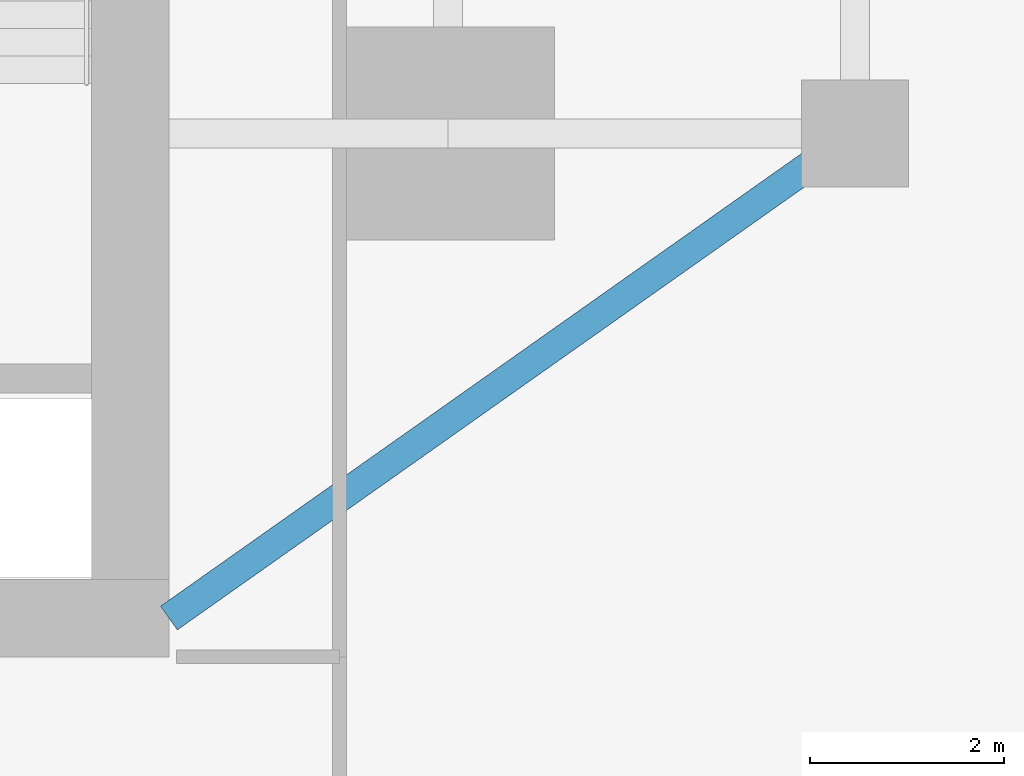
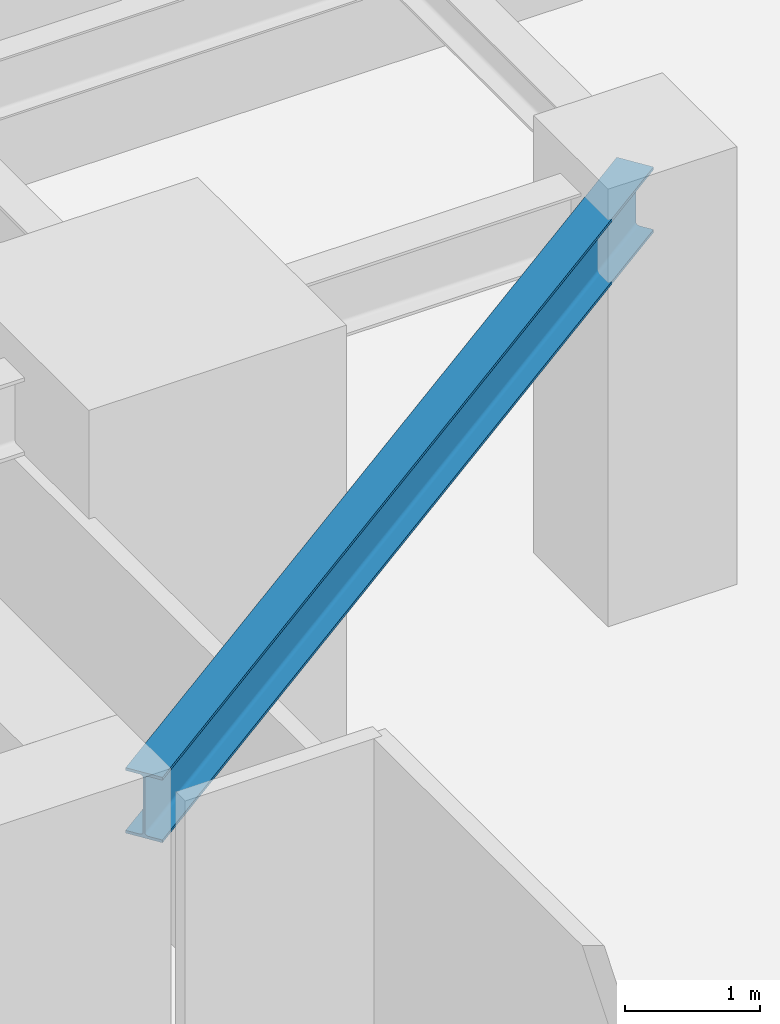
# One storey, part 11 of 29: 1 beam.
"""IFC4 building model written with IfcOpenShell, lengths in metres."""

from ifc_helpers import new_model, si_unit, direction, frame, origin, origin_2d, place, context, subcontext, project, spatial, i_section, extrude, source, transform, mapped, material, material_profile, profile_set, type_object, type_shapes, element, save


model = new_model("IFC4")

# Units and contexts
model_context = context("Model", 3, precision=1e-05, world=origin(), true_north=direction((0.0, 1.0)))
body_context = subcontext(model_context, "Body", "Model", "MODEL_VIEW")
ifc_project = project(units=[si_unit("LENGTHUNIT", "METRE"), si_unit("AREAUNIT", "SQUARE_METRE"), si_unit("VOLUMEUNIT", "CUBIC_METRE"), si_unit("PLANEANGLEUNIT", "RADIAN"), si_unit("MASSUNIT", "GRAM", prefix="KILO")], contexts=[model_context])

# Site, building, storey
site_placement = place(None, origin())
site = spatial("IfcSite", under=ifc_project, at=site_placement, CompositionType="ELEMENT")
building_placement = place(site_placement, origin())
building = spatial("IfcBuilding", under=site, at=building_placement, Name="Krantzveldt Concourse Tower", CompositionType="ELEMENT")
storey_placement = place(building_placement, frame((0.0, 0.0, 60.550048828125)))
storey = spatial("IfcBuildingStorey", under=building, at=storey_placement, Name="L14", CompositionType="ELEMENT", Elevation=60.550048828125)

# Beam
ifc_material = material(Name="Steel S355JR", Category="steel")
ifc_material_profile = material_profile(ifc_material, i_section(OverallWidth=0.300048828125, OverallDepth=0.590087890625, WebThickness=0.012939453125, FlangeThickness=0.02490234375, FilletRadius=0.027099609375, at=origin_2d()), Name="Steel S355JR", Category="steel")
ifc_profile_set = profile_set([ifc_material_profile], Name="Steel S355JR - HEA 600")
beam_type = type_object("IfcBeamType", Name="BM-B-HEA600", PredefinedType="BEAM", material=ifc_profile_set)
shared_shape = source(origin(), body_context, "Body", "SweptSolid", [
    extrude(i_section(OverallWidth=0.300048828125, OverallDepth=0.590087890625, WebThickness=0.012939453125, FlangeThickness=0.02490234375, FilletRadius=0.027099609375, at=origin_2d()), origin(), (0.0, 0.0, 1.0), 8.667724609375),
])
type_shapes(beam_type, [shared_shape])
beam_placement = place(storey_placement, frame((51.0, 15.89990234375, 3.375), z_axis=(-0.81684294656, -0.576860122261, 0.0), x_axis=(0.576860122261, -0.81684294656, 0.0)))
element("IfcBeam", 1, at=beam_placement, inside=storey, type_object=beam_type, Name="L14 Tower Girder BR-CSE", PredefinedType="BEAM", context=body_context, shape_type="MappedRepresentation", body=[
    mapped(shared_shape, transform((0.0, 0.0, 0.0), x_axis=(1.0, 0.0, 0.0), y_axis=(0.0, 1.0, 0.0), z_axis=(0.0, 0.0, 1.0), scale=1.0)),
])

save(model, "model.ifc")
